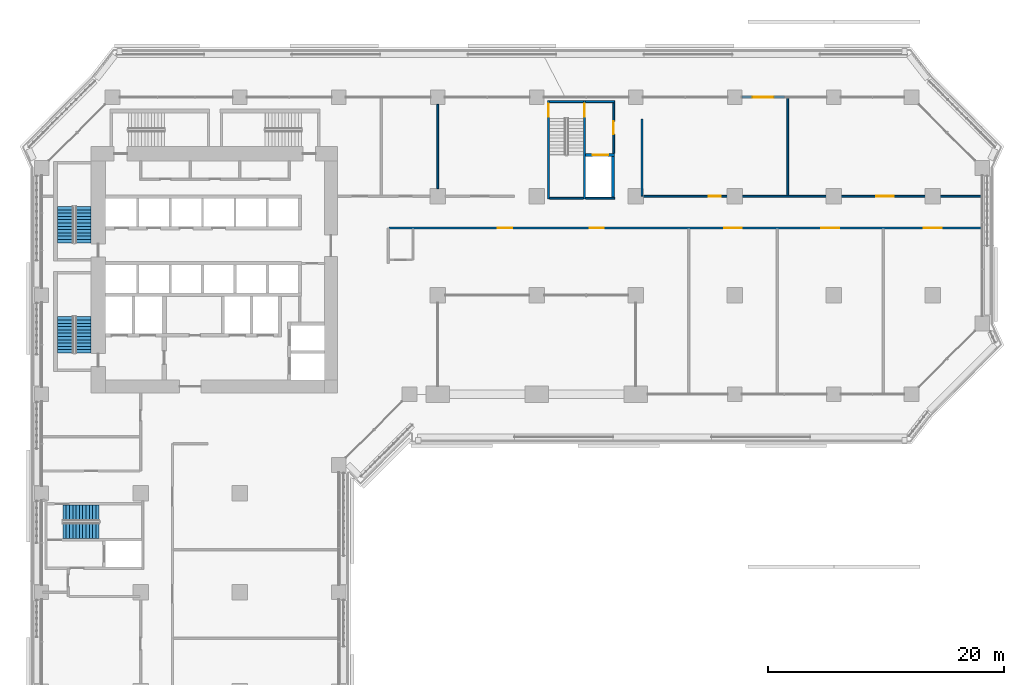
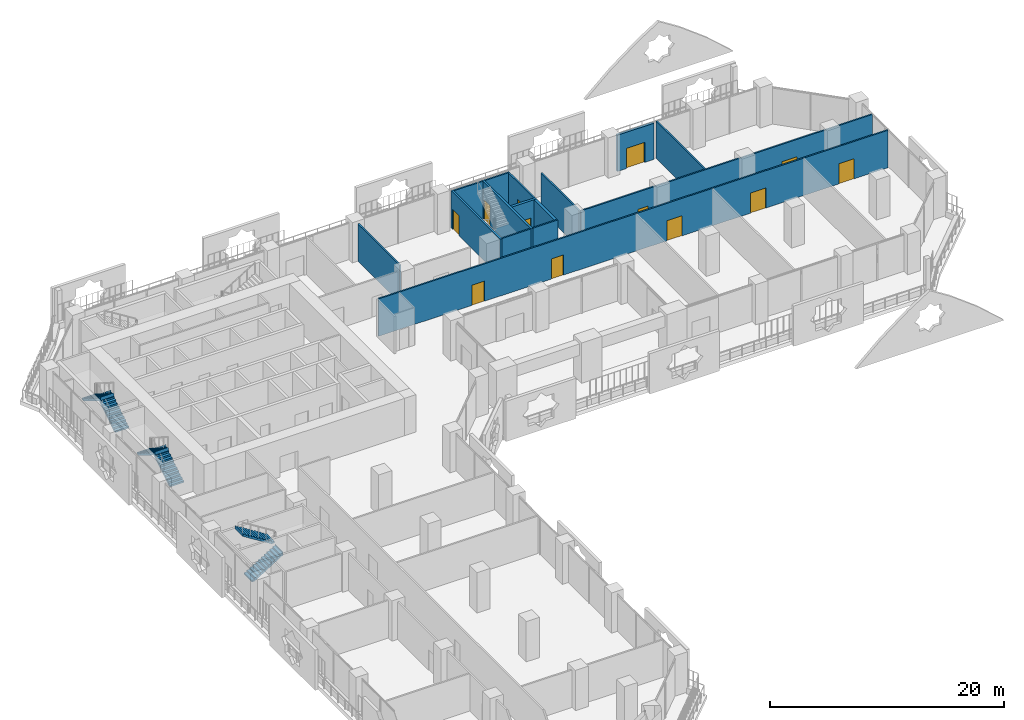
# One storey, part 16 of 27: 15 walls, 12 doors, 6 stair flights, 12 openings, 3 elements without a shape of their own.
"""IFC4 building model written with IfcOpenShell, lengths in metres."""

from ifc_helpers import new_model, si_unit, direction, frame, frame_2d, origin, place, context, subcontext, project, spatial, polyline, rectangle, outline, extrude, material, layer, layer_set, type_object, element, fill, aggregate, save


model = new_model("IFC4")

# Units and contexts
model_context = context("Model", 3, precision=1e-05, world=origin(), true_north=direction((0.0, 1.0)))
body_context = subcontext(model_context, "Body", "Model", "MODEL_VIEW")
ifc_project = project(units=[si_unit("LENGTHUNIT", "METRE"), si_unit("AREAUNIT", "SQUARE_METRE"), si_unit("VOLUMEUNIT", "CUBIC_METRE"), si_unit("PLANEANGLEUNIT", "RADIAN"), si_unit("MASSUNIT", "GRAM", prefix="KILO")], contexts=[model_context])

# Site, building, storey
site_placement = place(None, origin())
site = spatial("IfcSite", under=ifc_project, at=site_placement, CompositionType="ELEMENT")
building_placement = place(site_placement, origin())
building = spatial("IfcBuilding", under=site, at=building_placement, Name="Kawkab Arch Medical Tower", CompositionType="ELEMENT")
storey_placement = place(building_placement, frame((0.0, 0.0, 39.199951171875)))
storey = spatial("IfcBuildingStorey", under=building, at=storey_placement, Name="L08", CompositionType="ELEMENT", Elevation=39.199951171875)

# Wall, opening, door
ifc_material_1 = material(Name="Gypsum board on steel studs", Category="steel")
ifc_layer_1 = layer(ifc_material_1, 0.14990234375)
ifc_layer_set_1 = layer_set([ifc_layer_1], Name="Gypsum board on steel studs")
wall_type_1 = type_object("IfcWallType", Name="Core room partition 150", PredefinedType="PARTITIONING", material=ifc_layer_set_1)
wall_1_placement = place(storey_placement, frame((48.52490234375, -4.77490234375, 0.0), z_axis=(0.0, 0.0, 1.0), x_axis=(0.0, 1.0, 0.0)))
wall_1 = element("IfcWall", 1, at=wall_1_placement, inside=storey, type_object=wall_type_1, Name="L08 core room partition", PredefinedType="PARTITIONING", context=body_context, shape_type="SweptSolid", body=[
    extrude(rectangle(XDim=4.324951171875, YDim=0.14990234375, at=frame_2d((2.16259765625, 0.0))), origin(), (0.0, 0.0, 1.0), 3.900146484375),
])
opening_1_placement = place(wall_1_placement, frame((1.625, 0.0, 0.0)))
opening_1 = element("IfcOpeningElement", 2, at=opening_1_placement, cuts=wall_1, Name="Opening FD", PredefinedType="OPENING", context=body_context, shape_type="SweptSolid", body=[
    extrude(rectangle(XDim=1.10009765625, YDim=2.10009765625, at=frame_2d((0.550048828125, 1.050048828125))), frame((0.0, 0.0849609375, 0.0), z_axis=(0.0, -1.0, 0.0), x_axis=(1.0, 0.0, 0.0)), (0.0, 0.0, 1.0), 0.169921875),
])
ifc_material_2 = material(Name="Hollow metal fire door leaf")
door_type_1 = type_object("IfcDoorType", Name="Firefighting lobby door 1100", OperationType="SINGLE_SWING_LEFT", PredefinedType="DOOR", material=ifc_material_2)
door_1_placement = place(opening_1_placement, origin())
door_1 = element("IfcDoor", 3, at=door_1_placement, inside=storey, type_object=door_type_1, Name="L08 Service lift lobby door SV1", OperationType="SINGLE_SWING_LEFT", OverallHeight=2.10009765625, OverallWidth=1.10009765625, PredefinedType="DOOR", context=body_context, shape_type="SweptSolid", body=[
    extrude(rectangle(XDim=1.10009765625, YDim=2.10009765625, at=frame_2d((0.550048828125, 1.050048828125))), frame((0.0, 0.02490234375, 0.0), z_axis=(0.0, -1.0, 0.0), x_axis=(1.0, 0.0, 0.0)), (0.0, 0.0, 1.0), 0.050048828125),
])
fill(opening_1, door_1)

ifc_material_3 = material(Name="Concrete C60/75", Category="concrete")
ifc_layer_2 = layer(ifc_material_3, 0.25)
ifc_layer_set_2 = layer_set([ifc_layer_2], Name="Concrete C60/75")
wall_type_2 = type_object("IfcWallType", Name="Core shear wall 250 C60/75", PredefinedType="SHEAR", material=ifc_layer_set_2)
wall_2_placement = place(storey_placement, frame((46.14990234375, -4.89990234375, 0.0), z_axis=(0.0, 0.0, 1.0), x_axis=(1.0, 0.0, 0.0)))
wall_2 = element("IfcWall", 4, at=wall_2_placement, inside=storey, type_object=wall_type_2, Name="L08 core shear wall", PredefinedType="SHEAR", context=body_context, shape_type="SweptSolid", body=[
    extrude(rectangle(XDim=2.4501953125, YDim=0.25, at=frame_2d((1.22509765625, 0.0))), origin(), (0.0, 0.0, 1.0), 3.900146484375),
])
opening_2_placement = place(wall_2_placement, frame((0.60009765625, 0.0, 0.0)))
opening_2 = element("IfcOpeningElement", 5, at=opening_2_placement, cuts=wall_2, Name="Opening LD2", PredefinedType="OPENING", context=body_context, shape_type="SweptSolid", body=[
    extrude(rectangle(XDim=1.300048828125, YDim=2.10009765625, at=frame_2d((0.64990234375, 1.050048828125))), frame((0.0, 0.135009765625, 0.0), z_axis=(0.0, -1.0, 0.0), x_axis=(1.0, 0.0, 0.0)), (0.0, 0.0, 1.0), 0.27001953125),
])
ifc_material_4 = material(Name="Stainless steel lift door leaf", Category="steel")
door_type_2 = type_object("IfcDoorType", Name="Lift landing door 1300", OperationType="DOUBLE_DOOR_SLIDING", PredefinedType="DOOR", material=ifc_material_4)
door_2_placement = place(opening_2_placement, origin())
door_2 = element("IfcDoor", 6, at=door_2_placement, inside=storey, type_object=door_type_2, Name="L08 Lift landing door SV1", OperationType="DOUBLE_DOOR_SLIDING", OverallHeight=2.10009765625, OverallWidth=1.300048828125, PredefinedType="DOOR", context=body_context, shape_type="SweptSolid", body=[
    extrude(rectangle(XDim=1.300048828125, YDim=2.10009765625, at=frame_2d((0.64990234375, 1.050048828125))), frame((0.0, 0.02490234375, 0.0), z_axis=(0.0, -1.0, 0.0), x_axis=(1.0, 0.0, 0.0)), (0.0, 0.0, 1.0), 0.050048828125),
])
fill(opening_2, door_2)

# Wall
wall_3_placement = place(storey_placement, frame((48.47509765625, -8.5, 0.0), z_axis=(0.0, 0.0, 1.0), x_axis=(0.0, 1.0, 0.0)))
element("IfcWall", 7, at=wall_3_placement, inside=storey, type_object=wall_type_2, Name="L08 core shear wall", PredefinedType="SHEAR", context=body_context, shape_type="SweptSolid", body=[
    extrude(rectangle(XDim=3.47509765625, YDim=0.25, at=frame_2d((1.737548828125, 0.0))), origin(), (0.0, 0.0, 1.0), 3.900146484375),
])

# Wall, opening, door
ifc_material_5 = material(Name="Bronze clad insulated wall panel")
ifc_layer_3 = layer(ifc_material_5, 0.25)
ifc_layer_set_3 = layer_set([ifc_layer_3], Name="Bronze clad insulated wall panel")
wall_type_3 = type_object("IfcWallType", Name="External wall bay 250", PredefinedType="SOLIDWALL", material=ifc_layer_set_3)
wall_4_placement = place(storey_placement, frame((63.0, 0.0, 0.0), z_axis=(0.0, 0.0, 1.0), x_axis=(-1.0, 0.0, 0.0)))
wall_4 = element("IfcWall", 8, at=wall_4_placement, inside=storey, type_object=wall_type_3, Name="External wall bay L08.R09.2.2", PredefinedType="SOLIDWALL", context=body_context, shape_type="SweptSolid", body=[
    extrude(rectangle(XDim=3.60009765625, YDim=0.25, at=frame_2d((1.800048828125, 0.0))), origin(), (0.0, 0.0, 1.0), 3.780029296875),
])
opening_3_placement = place(wall_4_placement, frame((0.89990234375, 0.0, 0.0)))
opening_3 = element("IfcOpeningElement", 9, at=opening_3_placement, cuts=wall_4, Name="Opening B08-701", PredefinedType="OPENING", context=body_context, shape_type="SweptSolid", body=[
    extrude(rectangle(XDim=1.800048828125, YDim=2.10009765625, at=frame_2d((0.89990234375, 1.050048828125))), frame((0.0, 0.135009765625, 0.0), z_axis=(0.0, -1.0, 0.0), x_axis=(1.0, 0.0, 0.0)), (0.0, 0.0, 1.0), 0.27001953125),
])
ifc_material_6 = material(Name="Bronze anodised aluminium door with tinted glass", Category="aluminium")
door_type_3 = type_object("IfcDoorType", Name="Double external door 1800 x 2100", OperationType="DOUBLE_DOOR_SINGLE_SWING", PredefinedType="DOOR", material=ifc_material_6)
door_3_placement = place(opening_3_placement, origin())
door_3 = element("IfcDoor", 10, at=door_3_placement, inside=storey, type_object=door_type_3, Name="External door L08.R09.2.2", OperationType="DOUBLE_DOOR_SINGLE_SWING", OverallHeight=2.10009765625, OverallWidth=1.800048828125, PredefinedType="DOOR", context=body_context, shape_type="SweptSolid", body=[
    extrude(rectangle(XDim=1.800048828125, YDim=2.10009765625, at=frame_2d((0.89990234375, 1.050048828125))), frame((0.0, 0.02490234375, 0.0), z_axis=(0.0, -1.0, 0.0), x_axis=(1.0, 0.0, 0.0)), (0.0, 0.0, 1.0), 0.050048828125),
])
fill(opening_3, door_3)

# Wall, openings, doors
ifc_material_7 = material(Name="Gypsum board partition on steel studs, mineral wool", Category="steel")
ifc_layer_4 = layer(ifc_material_7, 0.14990234375)
ifc_layer_set_4 = layer_set([ifc_layer_4], Name="Gypsum board partition on steel studs, mineral wool")
wall_type_4 = type_object("IfcWallType", Name="Partition 150", PredefinedType="PARTITIONING", material=ifc_layer_set_4)
wall_5_placement = place(storey_placement, frame((29.47509765625, -11.10009765625, 0.0), z_axis=(0.0, 0.0, 1.0), x_axis=(1.0, 0.0, 0.0)))
wall_5 = element("IfcWall", 11, at=wall_5_placement, inside=storey, type_object=wall_type_4, Name="Partition 150 w015", PredefinedType="PARTITIONING", context=body_context, shape_type="SweptSolid", body=[
    extrude(rectangle(XDim=50.244873046875, YDim=0.14990234375, at=frame_2d((25.12255859375, 0.0))), origin(), (0.0, 0.0, 1.0), 3.900146484375),
])
opening_4_placement = place(wall_5_placement, frame((17.02490234375, 0.0, 0.0)))
opening_4 = element("IfcOpeningElement", 12, at=opening_4_placement, cuts=wall_5, Name="Opening B08-021", PredefinedType="OPENING", context=body_context, shape_type="SweptSolid", body=[
    extrude(rectangle(XDim=1.199951171875, YDim=2.10009765625, at=frame_2d((0.60009765625, 1.050048828125))), frame((0.0, 0.0849609375, 0.0), z_axis=(0.0, -1.0, 0.0), x_axis=(1.0, 0.0, 0.0)), (0.0, 0.0, 1.0), 0.169921875),
])
opening_5_placement = place(wall_5_placement, frame((9.22509765625, 0.0, 0.0)))
opening_5 = element("IfcOpeningElement", 13, at=opening_5_placement, cuts=wall_5, Name="Opening B08-022", PredefinedType="OPENING", context=body_context, shape_type="SweptSolid", body=[
    extrude(rectangle(XDim=1.199951171875, YDim=2.10009765625, at=frame_2d((0.60009765625, 1.050048828125))), frame((0.0, 0.0849609375, 0.0), z_axis=(0.0, -1.0, 0.0), x_axis=(1.0, 0.0, 0.0)), (0.0, 0.0, 1.0), 0.169921875),
])
opening_6_placement = place(wall_5_placement, frame((28.425048828125, 0.0, 0.0)))
opening_6 = element("IfcOpeningElement", 14, at=opening_6_placement, cuts=wall_5, Name="Opening B08-003", PredefinedType="OPENING", context=body_context, shape_type="SweptSolid", body=[
    extrude(rectangle(XDim=1.5, YDim=2.10009765625, at=frame_2d((0.75, 1.050048828125))), frame((0.0, 0.0849609375, 0.0), z_axis=(0.0, -1.0, 0.0), x_axis=(1.0, 0.0, 0.0)), (0.0, 0.0, 1.0), 0.169921875),
])
opening_7_placement = place(wall_5_placement, frame((36.675048828125, 0.0, 0.0)))
opening_7 = element("IfcOpeningElement", 15, at=opening_7_placement, cuts=wall_5, Name="Opening B08-004", PredefinedType="OPENING", context=body_context, shape_type="SweptSolid", body=[
    extrude(rectangle(XDim=1.5, YDim=2.10009765625, at=frame_2d((0.75, 1.050048828125))), frame((0.0, 0.0849609375, 0.0), z_axis=(0.0, -1.0, 0.0), x_axis=(1.0, 0.0, 0.0)), (0.0, 0.0, 1.0), 0.169921875),
])
opening_8_placement = place(wall_5_placement, frame((45.375, 0.0, 0.0)))
opening_8 = element("IfcOpeningElement", 16, at=opening_8_placement, cuts=wall_5, Name="Opening B08-005", PredefinedType="OPENING", context=body_context, shape_type="SweptSolid", body=[
    extrude(rectangle(XDim=1.5, YDim=2.10009765625, at=frame_2d((0.75, 1.050048828125))), frame((0.0, 0.0849609375, 0.0), z_axis=(0.0, -1.0, 0.0), x_axis=(1.0, 0.0, 0.0)), (0.0, 0.0, 1.0), 0.169921875),
])
ifc_material_8 = material(Name="Hollow metal door leaf")
door_type_4 = type_object("IfcDoorType", Name="Double door 1500x2100 FD30S", OperationType="NOTDEFINED", PredefinedType="DOOR", material=ifc_material_8)
door_4_placement = place(opening_6_placement, origin())
door_4 = element("IfcDoor", 17, at=door_4_placement, inside=storey, type_object=door_type_4, Name="Door B08-003", OperationType="DOUBLE_DOOR_SINGLE_SWING", OverallHeight=2.10009765625, OverallWidth=1.5, PredefinedType="DOOR", context=body_context, shape_type="SweptSolid", body=[
    extrude(rectangle(XDim=1.5, YDim=2.10009765625, at=frame_2d((0.75, 1.050048828125))), frame((0.0, 0.02490234375, 0.0), z_axis=(0.0, -1.0, 0.0), x_axis=(1.0, 0.0, 0.0)), (0.0, 0.0, 1.0), 0.050048828125),
])
fill(opening_6, door_4)
door_5_placement = place(opening_7_placement, origin())
door_5 = element("IfcDoor", 18, at=door_5_placement, inside=storey, type_object=door_type_4, Name="Door B08-004", OperationType="DOUBLE_DOOR_SINGLE_SWING", OverallHeight=2.10009765625, OverallWidth=1.5, PredefinedType="DOOR", context=body_context, shape_type="SweptSolid", body=[
    extrude(rectangle(XDim=1.5, YDim=2.10009765625, at=frame_2d((0.75, 1.050048828125))), frame((0.0, 0.02490234375, 0.0), z_axis=(0.0, -1.0, 0.0), x_axis=(1.0, 0.0, 0.0)), (0.0, 0.0, 1.0), 0.050048828125),
])
fill(opening_7, door_5)
door_6_placement = place(opening_8_placement, origin())
door_6 = element("IfcDoor", 19, at=door_6_placement, inside=storey, type_object=door_type_4, Name="Door B08-005", OperationType="DOUBLE_DOOR_SINGLE_SWING", OverallHeight=2.10009765625, OverallWidth=1.5, PredefinedType="DOOR", context=body_context, shape_type="SweptSolid", body=[
    extrude(rectangle(XDim=1.5, YDim=2.10009765625, at=frame_2d((0.75, 1.050048828125))), frame((0.0, 0.02490234375, 0.0), z_axis=(0.0, -1.0, 0.0), x_axis=(1.0, 0.0, 0.0)), (0.0, 0.0, 1.0), 0.050048828125),
])
fill(opening_8, door_6)
ifc_material_9 = material(Name="Hollow metal door leaf")
door_type_5 = type_object("IfcDoorType", Name="Single door 1200x2100 FD30S", OperationType="NOTDEFINED", PredefinedType="DOOR", material=ifc_material_9)
door_7_placement = place(opening_4_placement, origin())
door_7 = element("IfcDoor", 20, at=door_7_placement, inside=storey, type_object=door_type_5, Name="Door B08-021", OperationType="SINGLE_SWING_RIGHT", OverallHeight=2.10009765625, OverallWidth=1.199951171875, PredefinedType="DOOR", context=body_context, shape_type="SweptSolid", body=[
    extrude(rectangle(XDim=1.199951171875, YDim=2.10009765625, at=frame_2d((0.60009765625, 1.050048828125))), frame((0.0, 0.02490234375, 0.0), z_axis=(0.0, -1.0, 0.0), x_axis=(1.0, 0.0, 0.0)), (0.0, 0.0, 1.0), 0.050048828125),
])
fill(opening_4, door_7)
door_8_placement = place(opening_5_placement, origin())
door_8 = element("IfcDoor", 21, at=door_8_placement, inside=storey, type_object=door_type_5, Name="Door B08-022", OperationType="SINGLE_SWING_RIGHT", OverallHeight=2.10009765625, OverallWidth=1.199951171875, PredefinedType="DOOR", context=body_context, shape_type="SweptSolid", body=[
    extrude(rectangle(XDim=1.199951171875, YDim=2.10009765625, at=frame_2d((0.60009765625, 1.050048828125))), frame((0.0, 0.02490234375, 0.0), z_axis=(0.0, -1.0, 0.0), x_axis=(1.0, 0.0, 0.0)), (0.0, 0.0, 1.0), 0.050048828125),
])
fill(opening_5, door_8)

wall_6_placement = place(storey_placement, frame((51.0, -8.39990234375, 0.0), z_axis=(0.0, 0.0, 1.0), x_axis=(1.0, 0.0, 0.0)))
wall_6 = element("IfcWall", 22, at=wall_6_placement, inside=storey, type_object=wall_type_4, Name="Partition 150 w019", PredefinedType="PARTITIONING", context=body_context, shape_type="SweptSolid", body=[
    extrude(rectangle(XDim=28.719970703125, YDim=0.14990234375, at=frame_2d((14.35986328125, 0.0))), origin(), (0.0, 0.0, 1.0), 3.900146484375),
])
opening_9_placement = place(wall_6_placement, frame((5.612060546875, 0.0, 0.0)))
opening_9 = element("IfcOpeningElement", 23, at=opening_9_placement, cuts=wall_6, Name="Opening B08-012", PredefinedType="OPENING", context=body_context, shape_type="SweptSolid", body=[
    extrude(rectangle(XDim=1.0, YDim=2.10009765625, at=frame_2d((0.5, 1.050048828125))), frame((0.0, 0.0849609375, 0.0), z_axis=(0.0, -1.0, 0.0), x_axis=(1.0, 0.0, 0.0)), (0.0, 0.0, 1.0), 0.169921875),
])
opening_10_placement = place(wall_6_placement, frame((19.800048828125, 0.0, 0.0)))
opening_10 = element("IfcOpeningElement", 24, at=opening_10_placement, cuts=wall_6, Name="Opening B08-002", PredefinedType="OPENING", context=body_context, shape_type="SweptSolid", body=[
    extrude(rectangle(XDim=1.5, YDim=2.10009765625, at=frame_2d((0.75, 1.050048828125))), frame((0.0, 0.0849609375, 0.0), z_axis=(0.0, -1.0, 0.0), x_axis=(1.0, 0.0, 0.0)), (0.0, 0.0, 1.0), 0.169921875),
])
door_9_placement = place(opening_10_placement, origin())
door_9 = element("IfcDoor", 25, at=door_9_placement, inside=storey, type_object=door_type_4, Name="Door B08-002", OperationType="DOUBLE_DOOR_SINGLE_SWING", OverallHeight=2.10009765625, OverallWidth=1.5, PredefinedType="DOOR", context=body_context, shape_type="SweptSolid", body=[
    extrude(rectangle(XDim=1.5, YDim=2.10009765625, at=frame_2d((0.75, 1.050048828125))), frame((0.0, 0.02490234375, 0.0), z_axis=(0.0, -1.0, 0.0), x_axis=(1.0, 0.0, 0.0)), (0.0, 0.0, 1.0), 0.050048828125),
])
fill(opening_10, door_9)
ifc_material_10 = material(Name="Hollow metal door leaf")
door_type_6 = type_object("IfcDoorType", Name="Single door 1000x2100 FD30S", OperationType="NOTDEFINED", PredefinedType="DOOR", material=ifc_material_10)
door_10_placement = place(opening_9_placement, origin())
door_10 = element("IfcDoor", 26, at=door_10_placement, inside=storey, type_object=door_type_6, Name="Door B08-012", OperationType="SINGLE_SWING_LEFT", OverallHeight=2.10009765625, OverallWidth=1.0, PredefinedType="DOOR", context=body_context, shape_type="SweptSolid", body=[
    extrude(rectangle(XDim=1.0, YDim=2.10009765625, at=frame_2d((0.5, 1.050048828125))), frame((0.0, 0.02490234375, 0.0), z_axis=(0.0, -1.0, 0.0), x_axis=(1.0, 0.0, 0.0)), (0.0, 0.0, 1.0), 0.050048828125),
])
fill(opening_9, door_10)

# Walls
wall_7_placement = place(storey_placement, frame((33.60009765625, -7.75, 0.0), z_axis=(0.0, 0.0, 1.0), x_axis=(0.0, 1.0, 0.0)))
element("IfcWall", 27, at=wall_7_placement, inside=storey, type_object=wall_type_4, Name="Partition 150 w026", PredefinedType="PARTITIONING", context=body_context, shape_type="SweptSolid", body=[
    extrude(rectangle(XDim=7.14990234375, YDim=0.14990234375, at=frame_2d((3.574951171875, 0.0))), origin(), (0.0, 0.0, 1.0), 3.900146484375),
])
wall_8_placement = place(storey_placement, frame((50.925048828125, -8.39990234375, 0.0), z_axis=(0.0, 0.0, 1.0), x_axis=(0.0, 1.0, 0.0)))
element("IfcWall", 28, at=wall_8_placement, inside=storey, type_object=wall_type_4, Name="Partition 150 w027", PredefinedType="PARTITIONING", context=body_context, shape_type="SweptSolid", body=[
    extrude(rectangle(XDim=6.5498046875, YDim=0.14990234375, at=frame_2d((3.27490234375, 0.0))), origin(), (0.0, 0.0, 1.0), 3.900146484375),
])
wall_9_placement = place(storey_placement, frame((63.300048828125, -8.324951171875, 0.0), z_axis=(0.0, 0.0, 1.0), x_axis=(0.0, 1.0, 0.0)))
element("IfcWall", 29, at=wall_9_placement, inside=storey, type_object=wall_type_4, Name="Partition 150 w030", PredefinedType="PARTITIONING", context=body_context, shape_type="SweptSolid", body=[
    extrude(rectangle(XDim=8.244873046875, YDim=0.14990234375, at=frame_2d((4.12255859375, 0.0))), origin(), (0.0, 0.0, 1.0), 3.900146484375),
])
ifc_material_11 = material(Name="Concrete C50/60", Category="concrete")
ifc_layer_5 = layer(ifc_material_11, 0.14990234375)
ifc_layer_set_5 = layer_set([ifc_layer_5], Name="Concrete C50/60")
wall_type_5 = type_object("IfcWallType", Name="Stair enclosure wall 150 C50/60", PredefinedType="SHEAR", material=ifc_layer_set_5)
wall_10_placement = place(storey_placement, frame((43.10009765625, -0.375, 0.0), z_axis=(0.0, 0.0, 1.0), x_axis=(1.0, 0.0, 0.0)))
element("IfcWall", 30, at=wall_10_placement, inside=storey, type_object=wall_type_5, Name="L08 stair enclosure wall", PredefinedType="SHEAR", context=body_context, shape_type="SweptSolid", body=[
    extrude(rectangle(XDim=2.849853515625, YDim=0.14990234375, at=frame_2d((1.4248046875, 0.0))), origin(), (0.0, 0.0, 1.0), 3.900146484375),
])
wall_11_placement = place(storey_placement, frame((46.14990234375, -0.375, 0.0), z_axis=(0.0, 0.0, 1.0), x_axis=(1.0, 0.0, 0.0)))
element("IfcWall", 31, at=wall_11_placement, inside=storey, type_object=wall_type_5, Name="L08 stair enclosure wall", PredefinedType="SHEAR", context=body_context, shape_type="SweptSolid", body=[
    extrude(rectangle(XDim=2.4501953125, YDim=0.14990234375, at=frame_2d((1.22509765625, 0.0))), origin(), (0.0, 0.0, 1.0), 3.900146484375),
])
wall_12_placement = place(storey_placement, frame((43.10009765625, -8.574951171875, 0.0), z_axis=(0.0, 0.0, 1.0), x_axis=(1.0, 0.0, 0.0)))
element("IfcWall", 32, at=wall_12_placement, inside=storey, type_object=wall_type_5, Name="L08 stair enclosure wall", PredefinedType="SHEAR", context=body_context, shape_type="SweptSolid", body=[
    extrude(rectangle(XDim=2.849853515625, YDim=0.14990234375, at=frame_2d((1.4248046875, 0.0))), origin(), (0.0, 0.0, 1.0), 3.900146484375),
])
wall_13_placement = place(storey_placement, frame((46.14990234375, -8.574951171875, 0.0), z_axis=(0.0, 0.0, 1.0), x_axis=(1.0, 0.0, 0.0)))
element("IfcWall", 33, at=wall_13_placement, inside=storey, type_object=wall_type_5, Name="L08 stair enclosure wall", PredefinedType="SHEAR", context=body_context, shape_type="SweptSolid", body=[
    extrude(rectangle(XDim=2.4501953125, YDim=0.14990234375, at=frame_2d((1.22509765625, 0.0))), origin(), (0.0, 0.0, 1.0), 3.900146484375),
])

# Wall, opening, door
ifc_material_12 = material(Name="Concrete C50/60", Category="concrete")
ifc_layer_6 = layer(ifc_material_12, 0.199951171875)
ifc_layer_set_6 = layer_set([ifc_layer_6], Name="Concrete C50/60")
wall_type_6 = type_object("IfcWallType", Name="Stair enclosure wall 200 C50/60", PredefinedType="SHEAR", material=ifc_layer_set_6)
wall_14_placement = place(storey_placement, frame((43.0, -8.64990234375, 0.0), z_axis=(0.0, 0.0, 1.0), x_axis=(0.0, 1.0, 0.0)))
wall_14 = element("IfcWall", 34, at=wall_14_placement, inside=storey, type_object=wall_type_6, Name="L08 stair enclosure wall", PredefinedType="SHEAR", context=body_context, shape_type="SweptSolid", body=[
    extrude(rectangle(XDim=8.349853515625, YDim=0.199951171875, at=frame_2d((4.1748046875, 0.0))), origin(), (0.0, 0.0, 1.0), 3.900146484375),
])
opening_11_placement = place(wall_14_placement, frame((7.0, 0.0, 0.0)))
opening_11 = element("IfcOpeningElement", 35, at=opening_11_placement, cuts=wall_14, Name="Opening SD", PredefinedType="OPENING", context=body_context, shape_type="SweptSolid", body=[
    extrude(rectangle(XDim=1.10009765625, YDim=2.10009765625, at=frame_2d((0.550048828125, 1.050048828125))), frame((0.0, 0.10986328125, 0.0), z_axis=(0.0, -1.0, 0.0), x_axis=(1.0, 0.0, 0.0)), (0.0, 0.0, 1.0), 0.219970703125),
])
ifc_material_13 = material(Name="Hollow metal fire door leaf")
door_type_7 = type_object("IfcDoorType", Name="Exit stair door 1100", OperationType="SINGLE_SWING_LEFT", PredefinedType="DOOR", material=ifc_material_13)
door_11_placement = place(opening_11_placement, frame((1.10009765625, 0.0, 0.0), z_axis=(0.0, 0.0, 1.0), x_axis=(-1.0, 0.0, 0.0)))
door_11 = element("IfcDoor", 36, at=door_11_placement, inside=storey, type_object=door_type_7, Name="L08 Exit stair ST5 door", OperationType="SINGLE_SWING_LEFT", OverallHeight=2.10009765625, OverallWidth=1.10009765625, PredefinedType="DOOR", context=body_context, shape_type="SweptSolid", body=[
    extrude(rectangle(XDim=1.10009765625, YDim=2.10009765625, at=frame_2d((0.550048828125, 1.050048828125))), frame((0.0, 0.02490234375, 0.0), z_axis=(0.0, -1.0, 0.0), x_axis=(1.0, 0.0, 0.0)), (0.0, 0.0, 1.0), 0.050048828125),
])
fill(opening_11, door_11)

wall_15_placement = place(storey_placement, frame((46.050048828125, -8.64990234375, 0.0), z_axis=(0.0, 0.0, 1.0), x_axis=(0.0, 1.0, 0.0)))
wall_15 = element("IfcWall", 37, at=wall_15_placement, inside=storey, type_object=wall_type_6, Name="L08 stair enclosure wall", PredefinedType="SHEAR", context=body_context, shape_type="SweptSolid", body=[
    extrude(rectangle(XDim=8.349853515625, YDim=0.199951171875, at=frame_2d((4.1748046875, 0.0))), origin(), (0.0, 0.0, 1.0), 3.900146484375),
])
opening_12_placement = place(wall_15_placement, frame((7.0, 0.0, 0.0)))
opening_12 = element("IfcOpeningElement", 38, at=opening_12_placement, cuts=wall_15, Name="Opening SD", PredefinedType="OPENING", context=body_context, shape_type="SweptSolid", body=[
    extrude(rectangle(XDim=1.10009765625, YDim=2.10009765625, at=frame_2d((0.550048828125, 1.050048828125))), frame((0.0, 0.10986328125, 0.0), z_axis=(0.0, -1.0, 0.0), x_axis=(1.0, 0.0, 0.0)), (0.0, 0.0, 1.0), 0.219970703125),
])
door_12_placement = place(opening_12_placement, origin())
door_12 = element("IfcDoor", 39, at=door_12_placement, inside=storey, type_object=door_type_7, Name="L08 Exit stair ST5 lobby door", OperationType="SINGLE_SWING_LEFT", OverallHeight=2.10009765625, OverallWidth=1.10009765625, PredefinedType="DOOR", context=body_context, shape_type="SweptSolid", body=[
    extrude(rectangle(XDim=1.10009765625, YDim=2.10009765625, at=frame_2d((0.550048828125, 1.050048828125))), frame((0.0, 0.02490234375, 0.0), z_axis=(0.0, -1.0, 0.0), x_axis=(1.0, 0.0, 0.0)), (0.0, 0.0, 1.0), 0.050048828125),
])
fill(opening_12, door_12)

# Stair, stair flights
ifc_material_14 = material(Name="Concrete C40/50", Category="concrete")
stair_type = type_object("IfcStairType", Name="Exit stair 1350", PredefinedType="HALF_TURN_STAIR", material=ifc_material_14)
placement = place(storey_placement, origin())
stair_1 = element("IfcStair", 40, at=placement, inside=storey, type_object=stair_type, Name="L08 Exit stair ST1", PredefinedType="HALF_TURN_STAIR")
ifc_material_15 = material(Name="Concrete C40/50", Category="concrete")
stair_flight_type = type_object("IfcStairFlightType", Name="Exit stair flight 1350", PredefinedType="STRAIGHT", material=ifc_material_15)
stair_flight_1_placement = place(storey_placement, frame((3.52490234375, -12.35009765625, 0.0), z_axis=(0.0, 0.0, 1.0), x_axis=(0.0, 1.0, 0.0)))
stair_flight_1 = element("IfcStairFlight", 41, at=stair_flight_1_placement, type_object=stair_flight_type, Name="ST1 flight 1", NumberOfRisers=12, NumberOfTreads=11, PredefinedType="STRAIGHT", RiserHeight=0.175, TreadLength=0.28, context=body_context, shape_type="SweptSolid", body=[
    extrude(outline(polyline([(-0.0029296875, 0.0), (-0.0029296875, 0.175048828125), (0.0, 0.175048828125), (0.280029296875, 0.175048828125), (0.280029296875, 0.35009765625), (0.56005859375, 0.35009765625), (0.56005859375, 0.52490234375), (0.840087890625, 0.52490234375), (0.840087890625, 0.699951171875), (1.1201171875, 0.699951171875), (1.1201171875, 0.875), (1.39990234375, 0.875), (1.39990234375, 1.050048828125), (1.679931640625, 1.050048828125), (1.679931640625, 1.22509765625), (1.9599609375, 1.22509765625), (1.9599609375, 1.39990234375), (2.239990234375, 1.39990234375), (2.239990234375, 1.574951171875), (2.52001953125, 1.574951171875), (2.52001953125, 1.75), (2.800048828125, 1.75), (2.800048828125, 1.925048828125), (3.080078125, 1.925048828125), (3.080078125, 2.10009765625), (3.0830078125, 2.10009765625), (3.0830078125, 1.748291015625), (3.080078125, 1.748291015625), (0.28271484375, 0.0), (-0.0029296875, 0.0)])), frame((0.0, 0.675048828125, 0.0), z_axis=(0.0, -1.0, 0.0), x_axis=(1.0, 0.0, 0.0)), (0.0, 0.0, 1.0), 1.35009765625),
])
stair_flight_2_placement = place(storey_placement, frame((2.02490234375, -9.27001953125, 2.10009765625), z_axis=(0.0, 0.0, 1.0), x_axis=(0.0, -1.0, 0.0)))
stair_flight_2 = element("IfcStairFlight", 42, at=stair_flight_2_placement, type_object=stair_flight_type, Name="ST1 flight 2", NumberOfRisers=12, NumberOfTreads=11, PredefinedType="STRAIGHT", RiserHeight=0.175, TreadLength=0.28, context=body_context, shape_type="SweptSolid", body=[
    extrude(outline(polyline([(-0.0029296875, 0.0), (-0.0029296875, 0.175048828125), (0.0, 0.175048828125), (0.280029296875, 0.175048828125), (0.280029296875, 0.35009765625), (0.56005859375, 0.35009765625), (0.56005859375, 0.52490234375), (0.840087890625, 0.52490234375), (0.840087890625, 0.699951171875), (1.1201171875, 0.699951171875), (1.1201171875, 0.875), (1.39990234375, 0.875), (1.39990234375, 1.050048828125), (1.679931640625, 1.050048828125), (1.679931640625, 1.22509765625), (1.9599609375, 1.22509765625), (1.9599609375, 1.39990234375), (2.239990234375, 1.39990234375), (2.239990234375, 1.574951171875), (2.52001953125, 1.574951171875), (2.52001953125, 1.75), (2.800048828125, 1.75), (2.800048828125, 1.925048828125), (3.080078125, 1.925048828125), (3.080078125, 2.10009765625), (3.0830078125, 2.10009765625), (3.0830078125, 1.748291015625), (3.080078125, 1.748291015625), (0.28271484375, 0.0), (-0.0029296875, 0.0)])), frame((0.0, 0.675048828125, 0.0), z_axis=(0.0, -1.0, 0.0), x_axis=(1.0, 0.0, 0.0)), (0.0, 0.0, 1.0), 1.35009765625),
])
aggregate(stair_1, [stair_flight_1, stair_flight_2])

stair_2 = element("IfcStair", 43, at=placement, inside=storey, type_object=stair_type, Name="L08 Exit stair ST2", PredefinedType="HALF_TURN_STAIR")
stair_flight_3_placement = place(storey_placement, frame((3.52490234375, -21.699951171875, 0.0), z_axis=(0.0, 0.0, 1.0), x_axis=(0.0, 1.0, 0.0)))
stair_flight_3 = element("IfcStairFlight", 44, at=stair_flight_3_placement, type_object=stair_flight_type, Name="ST2 flight 1", NumberOfRisers=12, NumberOfTreads=11, PredefinedType="STRAIGHT", RiserHeight=0.175, TreadLength=0.28, context=body_context, shape_type="SweptSolid", body=[
    extrude(outline(polyline([(-0.0029296875, 0.0), (-0.0029296875, 0.175048828125), (0.0, 0.175048828125), (0.280029296875, 0.175048828125), (0.280029296875, 0.35009765625), (0.56005859375, 0.35009765625), (0.56005859375, 0.52490234375), (0.840087890625, 0.52490234375), (0.840087890625, 0.699951171875), (1.1201171875, 0.699951171875), (1.1201171875, 0.875), (1.39990234375, 0.875), (1.39990234375, 1.050048828125), (1.679931640625, 1.050048828125), (1.679931640625, 1.22509765625), (1.9599609375, 1.22509765625), (1.9599609375, 1.39990234375), (2.239990234375, 1.39990234375), (2.239990234375, 1.574951171875), (2.52001953125, 1.574951171875), (2.52001953125, 1.75), (2.800048828125, 1.75), (2.800048828125, 1.925048828125), (3.080078125, 1.925048828125), (3.080078125, 2.10009765625), (3.0830078125, 2.10009765625), (3.0830078125, 1.748291015625), (3.080078125, 1.748291015625), (0.28271484375, 0.0), (-0.0029296875, 0.0)])), frame((0.0, 0.675048828125, 0.0), z_axis=(0.0, -1.0, 0.0), x_axis=(1.0, 0.0, 0.0)), (0.0, 0.0, 1.0), 1.35009765625),
])
stair_flight_4_placement = place(storey_placement, frame((2.02490234375, -18.6201171875, 2.10009765625), z_axis=(0.0, 0.0, 1.0), x_axis=(0.0, -1.0, 0.0)))
stair_flight_4 = element("IfcStairFlight", 45, at=stair_flight_4_placement, type_object=stair_flight_type, Name="ST2 flight 2", NumberOfRisers=12, NumberOfTreads=11, PredefinedType="STRAIGHT", RiserHeight=0.175, TreadLength=0.28, context=body_context, shape_type="SweptSolid", body=[
    extrude(outline(polyline([(-0.0029296875, 0.0), (-0.0029296875, 0.175048828125), (0.0, 0.175048828125), (0.280029296875, 0.175048828125), (0.280029296875, 0.35009765625), (0.56005859375, 0.35009765625), (0.56005859375, 0.52490234375), (0.840087890625, 0.52490234375), (0.840087890625, 0.699951171875), (1.1201171875, 0.699951171875), (1.1201171875, 0.875), (1.39990234375, 0.875), (1.39990234375, 1.050048828125), (1.679931640625, 1.050048828125), (1.679931640625, 1.22509765625), (1.9599609375, 1.22509765625), (1.9599609375, 1.39990234375), (2.239990234375, 1.39990234375), (2.239990234375, 1.574951171875), (2.52001953125, 1.574951171875), (2.52001953125, 1.75), (2.800048828125, 1.75), (2.800048828125, 1.925048828125), (3.080078125, 1.925048828125), (3.080078125, 2.10009765625), (3.0830078125, 2.10009765625), (3.0830078125, 1.748291015625), (3.080078125, 1.748291015625), (0.28271484375, 0.0), (-0.0029296875, 0.0)])), frame((0.0, 0.675048828125, 0.0), z_axis=(0.0, -1.0, 0.0), x_axis=(1.0, 0.0, 0.0)), (0.0, 0.0, 1.0), 1.35009765625),
])
aggregate(stair_2, [stair_flight_3, stair_flight_4])

stair_3 = element("IfcStair", 46, at=placement, inside=storey, type_object=stair_type, Name="L08 Exit stair ST6", PredefinedType="HALF_TURN_STAIR")
stair_flight_5_placement = place(storey_placement, frame((1.800048828125, -36.77490234375, 0.0), z_axis=(0.0, 0.0, 1.0), x_axis=(1.0, 0.0, 0.0)))
stair_flight_5 = element("IfcStairFlight", 47, at=stair_flight_5_placement, type_object=stair_flight_type, Name="ST6 flight 1", NumberOfRisers=12, NumberOfTreads=11, PredefinedType="STRAIGHT", RiserHeight=0.175, TreadLength=0.28, context=body_context, shape_type="SweptSolid", body=[
    extrude(outline(polyline([(-0.0029296875, 0.0), (-0.0029296875, 0.175048828125), (0.0, 0.175048828125), (0.280029296875, 0.175048828125), (0.280029296875, 0.35009765625), (0.56005859375, 0.35009765625), (0.56005859375, 0.52490234375), (0.840087890625, 0.52490234375), (0.840087890625, 0.699951171875), (1.1201171875, 0.699951171875), (1.1201171875, 0.875), (1.39990234375, 0.875), (1.39990234375, 1.050048828125), (1.679931640625, 1.050048828125), (1.679931640625, 1.22509765625), (1.9599609375, 1.22509765625), (1.9599609375, 1.39990234375), (2.239990234375, 1.39990234375), (2.239990234375, 1.574951171875), (2.52001953125, 1.574951171875), (2.52001953125, 1.75), (2.800048828125, 1.75), (2.800048828125, 1.925048828125), (3.080078125, 1.925048828125), (3.080078125, 2.10009765625), (3.0830078125, 2.10009765625), (3.0830078125, 1.748291015625), (3.080078125, 1.748291015625), (0.28271484375, 0.0), (-0.0029296875, 0.0)])), frame((0.0, 0.675048828125, 0.0), z_axis=(0.0, -1.0, 0.0), x_axis=(1.0, 0.0, 0.0)), (0.0, 0.0, 1.0), 1.35009765625),
])
stair_flight_6_placement = place(storey_placement, frame((4.8798828125, -35.27490234375, 2.10009765625), z_axis=(0.0, 0.0, 1.0), x_axis=(-1.0, 0.0, 0.0)))
stair_flight_6 = element("IfcStairFlight", 48, at=stair_flight_6_placement, type_object=stair_flight_type, Name="ST6 flight 2", NumberOfRisers=12, NumberOfTreads=11, PredefinedType="STRAIGHT", RiserHeight=0.175, TreadLength=0.28, context=body_context, shape_type="SweptSolid", body=[
    extrude(outline(polyline([(-0.0029296875, 0.0), (-0.0029296875, 0.175048828125), (0.0, 0.175048828125), (0.280029296875, 0.175048828125), (0.280029296875, 0.35009765625), (0.56005859375, 0.35009765625), (0.56005859375, 0.52490234375), (0.840087890625, 0.52490234375), (0.840087890625, 0.699951171875), (1.1201171875, 0.699951171875), (1.1201171875, 0.875), (1.39990234375, 0.875), (1.39990234375, 1.050048828125), (1.679931640625, 1.050048828125), (1.679931640625, 1.22509765625), (1.9599609375, 1.22509765625), (1.9599609375, 1.39990234375), (2.239990234375, 1.39990234375), (2.239990234375, 1.574951171875), (2.52001953125, 1.574951171875), (2.52001953125, 1.75), (2.800048828125, 1.75), (2.800048828125, 1.925048828125), (3.080078125, 1.925048828125), (3.080078125, 2.10009765625), (3.0830078125, 2.10009765625), (3.0830078125, 1.748291015625), (3.080078125, 1.748291015625), (0.28271484375, 0.0), (-0.0029296875, 0.0)])), frame((0.0, 0.675048828125, 0.0), z_axis=(0.0, -1.0, 0.0), x_axis=(1.0, 0.0, 0.0)), (0.0, 0.0, 1.0), 1.35009765625),
])
aggregate(stair_3, [stair_flight_5, stair_flight_6])

save(model, "model.ifc")
